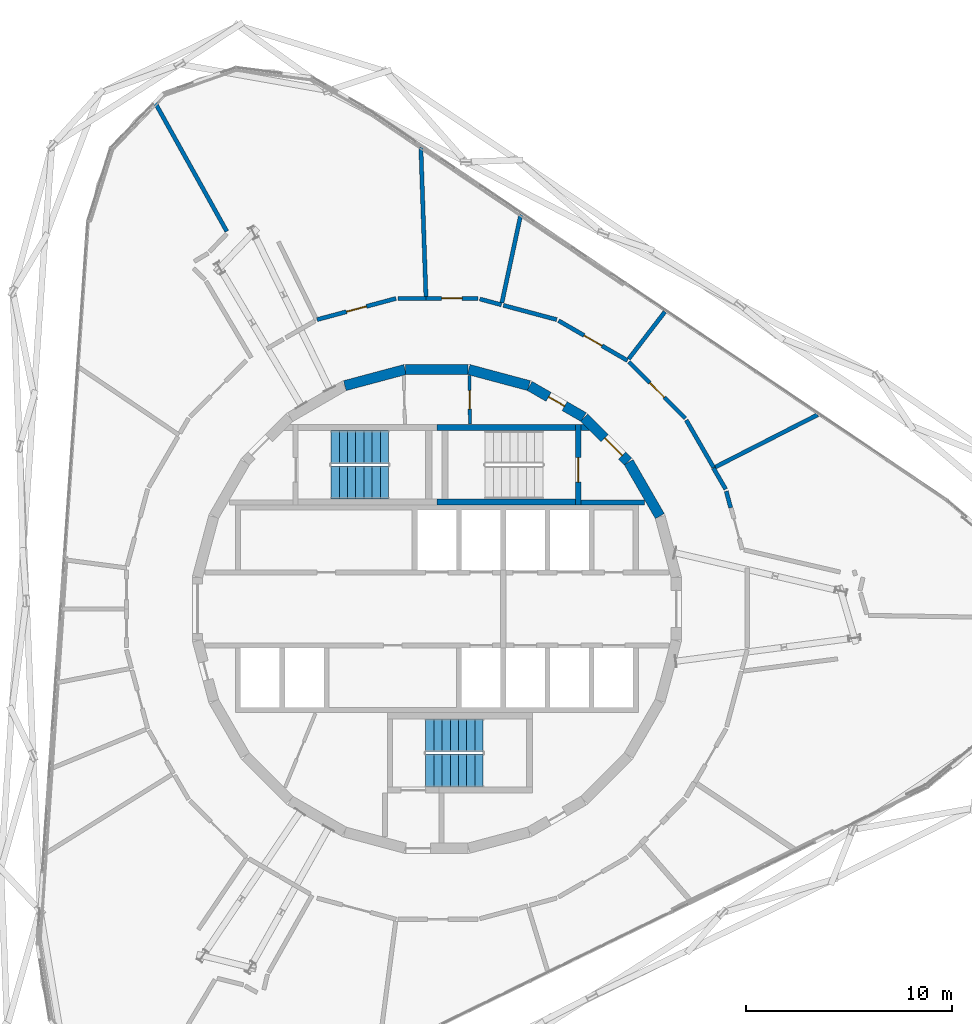
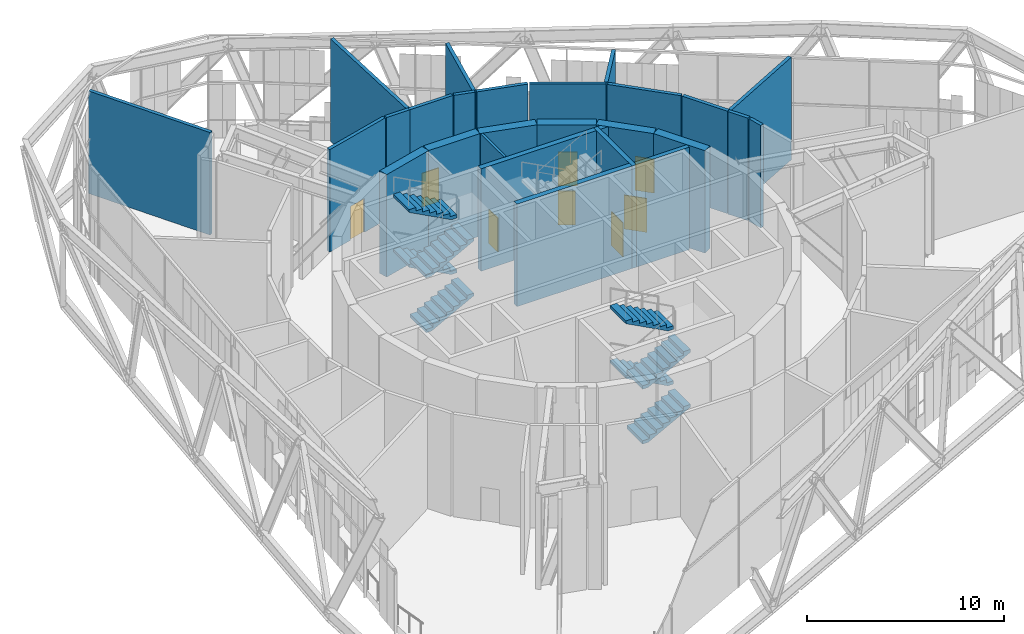
# One storey, part 21 of 24: 27 walls, 8 doors, 8 stair flights, 8 openings, 2 elements without a shape of their own.
"""IFC4 building model written with IfcOpenShell, lengths in metres."""

import ifcopenshell
import ifcopenshell.guid

model = None  # the IFC model being written
_history = None  # IfcOwnerHistory: only IFC2X3 demands one
_inside = {}  # id of a spatial element -> (the spatial element, [elements in it])
_under = {}  # id of a project, library or spatial element -> (it, [spatial elements below it])
_declared = {}  # id of a project -> (the project, [libraries it declares])
_typed = {}  # id of a type object -> (the type object, [elements of that type])
_made_of = {}  # id of a material, layer set ... -> (it, [elements and type objects made of it])


def new_model(schema):
    """Start an empty IFC model of exactly this schema.

    Asked for "IFC4X3", IfcOpenShell would pick the latest addendum, in which some entities
    have other attributes; the version numbers below select the first issue.
    IFC2X3 requires an IfcOwnerHistory on every rooted entity: one is made here for all.
    """
    global model, _history
    if schema == "IFC4X3":
        model = ifcopenshell.file(schema_version=(4, 3, 0, 0))
    else:
        model = ifcopenshell.file(schema=schema)
    _inside.clear()
    _under.clear()
    _declared.clear()
    _typed.clear()
    _made_of.clear()
    _history = None
    if model.schema == "IFC2X3":
        org = make("IfcOrganization", Name="unknown")
        user = make(
            "IfcPersonAndOrganization",
            ThePerson=make("IfcPerson", FamilyName="unknown"),
            TheOrganization=org,
        )
        app = make(
            "IfcApplication",
            ApplicationDeveloper=org,
            Version="unknown",
            ApplicationFullName="unknown",
            ApplicationIdentifier="unknown",
        )
        _history = make(
            "IfcOwnerHistory",
            OwningUser=user,
            OwningApplication=app,
            ChangeAction="ADDED",
            CreationDate=0,
        )
    return model


def make(cls, **values):
    """One entity of the class cls with the attributes given. An attribute that is None is left unset."""
    return model.create_entity(
        cls, **{name: value for name, value in values.items() if value is not None}
    )


def rooted(cls, **values):
    """An entity with a GlobalId (a new one), such as an element, a storey or a relation."""
    return make(cls, GlobalId=ifcopenshell.guid.new(), OwnerHistory=_history, **values)


def si_unit(unit_type, name, prefix=None):
    """IfcSIUnit, for example si_unit("LENGTHUNIT", "METRE", prefix="MILLI")."""
    return make("IfcSIUnit", UnitType=unit_type, Prefix=prefix, Name=name)


def assignment(units):
    """IfcUnitAssignment: the units of a project."""
    return None if units is None else make("IfcUnitAssignment", Units=units)


def point(xyz):
    """IfcCartesianPoint."""
    return None if xyz is None else make("IfcCartesianPoint", Coordinates=xyz)


def direction(xyz):
    """IfcDirection."""
    return None if xyz is None else make("IfcDirection", DirectionRatios=xyz)


def frame(location, z_axis=None, x_axis=None):
    """IfcAxis2Placement3D, a coordinate frame: its origin and axes. An axis left out is left unset."""
    return make(
        "IfcAxis2Placement3D",
        Location=point(location),
        Axis=direction(z_axis),
        RefDirection=direction(x_axis),
    )


def frame_2d(location, x_axis=None):
    """IfcAxis2Placement2D, a coordinate frame in the plane: its origin and x axis."""
    return make(
        "IfcAxis2Placement2D", Location=point(location), RefDirection=direction(x_axis)
    )


def origin():
    """The frame at (0, 0, 0) with its axes left unset."""
    return frame((0.0, 0.0, 0.0))


def place(relative_to, where):
    """IfcLocalPlacement: puts the frame where relative to a parent placement (None: the world)."""
    return make(
        "IfcLocalPlacement", PlacementRelTo=relative_to, RelativePlacement=where
    )


def context(
    kind, dimensions, precision=None, world=None, true_north=None, identifier=None
):
    """IfcGeometricRepresentationContext, for example the 3D "Model" context."""
    return make(
        "IfcGeometricRepresentationContext",
        ContextIdentifier=identifier,
        ContextType=kind,
        CoordinateSpaceDimension=dimensions,
        Precision=precision,
        WorldCoordinateSystem=world,
        TrueNorth=true_north,
    )


def subcontext(parent, identifier, kind, view, scale=None):
    """IfcGeometricRepresentationSubContext, for example "Body" below "Model"."""
    return make(
        "IfcGeometricRepresentationSubContext",
        ContextIdentifier=identifier,
        ContextType=kind,
        ParentContext=parent,
        TargetScale=scale,
        TargetView=view,
    )


def project(units=None, contexts=None):
    """IfcProject with its units and contexts."""
    return rooted(
        "IfcProject",
        Name="project",
        RepresentationContexts=contexts,
        UnitsInContext=assignment(units),
    )


def spatial(cls, under=None, at=None, **own):
    """A site, building, storey or space (cls), placed at a placement, below another one or the project."""
    s = rooted(cls, ObjectPlacement=at, **own)
    if under is not None:
        _under.setdefault(under.id(), (under, []))[1].append(s)
    return s


def polyline(points):
    """IfcPolyline through the points."""
    return make("IfcPolyline", Points=[point(p) for p in points])


def profile(cls, at=None, kind="AREA", **sizes):
    """A parametric profile (cls). Its sizes go by their IFC names, for example OverallWidth=200.0."""
    return make(cls, ProfileType=kind, Position=at, **sizes)


def rectangle(**sizes):
    """IfcRectangleProfileDef."""
    return profile("IfcRectangleProfileDef", **sizes)


def outline(outer, holes=None, kind="AREA"):
    """IfcArbitraryClosedProfileDef: a profile drawn as a closed curve; with holes, ...WithVoids."""
    if holes is None:
        return make("IfcArbitraryClosedProfileDef", ProfileType=kind, OuterCurve=outer)
    return make(
        "IfcArbitraryProfileDefWithVoids",
        ProfileType=kind,
        OuterCurve=outer,
        InnerCurves=holes,
    )


def extrude(swept, where, along, depth):
    """IfcExtrudedAreaSolid: the profile swept, set in the frame where, extruded along a direction by depth."""
    return make(
        "IfcExtrudedAreaSolid",
        SweptArea=swept,
        Position=where,
        ExtrudedDirection=direction(along),
        Depth=depth,
    )


def shape(context_of_items, identifier, shape_type, items):
    """IfcShapeRepresentation: the items that make up one representation, for example the "Body"."""
    return make(
        "IfcShapeRepresentation",
        ContextOfItems=context_of_items,
        RepresentationIdentifier=identifier,
        RepresentationType=shape_type,
        Items=items,
    )


def material(Name=None, Category=None):
    """IfcMaterial."""
    return make("IfcMaterial", Name=Name, Category=Category)


def layer(
    of_material, thickness, ventilated=None, Name=None, Category=None, Priority=None
):
    """IfcMaterialLayer: one layer of a wall or slab, of a material (None: an air gap)."""
    return make(
        "IfcMaterialLayer",
        Material=of_material,
        LayerThickness=thickness,
        IsVentilated=ventilated,
        Name=Name,
        Category=Category,
        Priority=Priority,
    )


def layer_set(layers, Name=None):
    """IfcMaterialLayerSet."""
    return make("IfcMaterialLayerSet", MaterialLayers=layers, LayerSetName=Name)


def made_of(thing, what):
    """Note that an element or type object is made of a material, layer set ...; save() writes the relation."""
    if what is not None:
        _made_of.setdefault(what.id(), (what, []))[1].append(thing)
    return thing


def type_object(cls, material=None, **own):
    """A type object (cls), such as IfcWallType, which elements share."""
    return made_of(rooted(cls, **own), material)


def element(
    cls,
    number,
    at=None,
    inside=None,
    cuts=None,
    type_object=None,
    material=None,
    context=None,
    identifier="Body",
    shape_type=None,
    held_by="IfcProductDefinitionShape",
    body=None,
    shapes=None,
    **own,
):
    """One element of the class cls, such as IfcWall. Its Tag is "e" and its number.

    at: its placement. inside: the storey or other place that contains it. cuts: it is an
    opening in that element (IfcRelVoidsElement). A single representation is given by context,
    identifier, shape_type and body (its items); several are given by shapes. held_by: the class
    of the entity that holds the representations. save() writes the other relations.
    """
    e = rooted(cls, Tag="e%d" % number, ObjectPlacement=at, **own)
    if body is not None:
        shapes = [shape(context, identifier, shape_type, body)]
    if shapes is not None:
        e.Representation = make(held_by, Representations=shapes)
    if inside is not None:
        _inside.setdefault(inside.id(), (inside, []))[1].append(e)
    if cuts is not None:
        rooted(
            "IfcRelVoidsElement", RelatingBuildingElement=cuts, RelatedOpeningElement=e
        )
    if type_object is not None:
        _typed.setdefault(type_object.id(), (type_object, []))[1].append(e)
    return made_of(e, material)


def fill(opening, filler):
    """IfcRelFillsElement: the door or window that sits in an opening."""
    return rooted(
        "IfcRelFillsElement",
        RelatingOpeningElement=opening,
        RelatedBuildingElement=filler,
    )


def aggregate(whole, parts):
    """IfcRelAggregates: a whole, such as a stair, and the parts it consists of."""
    return rooted("IfcRelAggregates", RelatingObject=whole, RelatedObjects=parts)


def save(model, path):
    """Write the relations noted so far, then the file.

    IfcRelAggregates (storeys below a building ...), IfcRelContainedInSpatialStructure (elements
    in a storey), IfcRelDefinesByType, IfcRelAssociatesMaterial and IfcRelDeclares: one each for
    every whole, place, type object, material and project.
    """
    for whole, parts in _under.values():
        aggregate(whole, parts)
    for where, things in _inside.values():
        rooted(
            "IfcRelContainedInSpatialStructure",
            RelatedElements=things,
            RelatingStructure=where,
        )
    for kind, things in _typed.values():
        rooted("IfcRelDefinesByType", RelatedObjects=things, RelatingType=kind)
    for what, things in _made_of.values():
        rooted("IfcRelAssociatesMaterial", RelatedObjects=things, RelatingMaterial=what)
    for by, libraries in _declared.values():
        rooted("IfcRelDeclares", RelatingContext=by, RelatedDefinitions=libraries)
    model.write(path)


model = new_model("IFC4")

# Units and contexts
model_context = context("Model", 3, precision=1e-05, world=origin(), true_north=direction((0.0, 1.0)))
body_context = subcontext(model_context, "Body", "Model", "MODEL_VIEW")
ifc_project = project(units=[si_unit("LENGTHUNIT", "METRE"), si_unit("AREAUNIT", "SQUARE_METRE"), si_unit("VOLUMEUNIT", "CUBIC_METRE"), si_unit("PLANEANGLEUNIT", "RADIAN"), si_unit("MASSUNIT", "GRAM", prefix="KILO")], contexts=[model_context])

# Site, building, storey
site_placement = place(None, origin())
site = spatial("IfcSite", under=ifc_project, at=site_placement, CompositionType="ELEMENT")
building_placement = place(site_placement, origin())
building = spatial("IfcBuilding", under=site, at=building_placement, Name="Spindle Arch Residences", CompositionType="ELEMENT")
storey_placement = place(building_placement, frame((0.0, 0.0, 219.89990234375)))
storey = spatial("IfcBuildingStorey", under=building, at=storey_placement, Name="L56", CompositionType="ELEMENT", Elevation=219.89990234375)

# Wall
ifc_material_1 = material(Name="Concrete C50/60", Category="concrete")
ifc_layer_1 = layer(ifc_material_1, 0.5)
ifc_layer_set_1 = layer_set([ifc_layer_1], Name="Core outline wall 500")
wall_type_1 = type_object("IfcWallType", Name="Core outline wall 500", PredefinedType="SHEAR", material=ifc_layer_set_1)
wall_1_placement = place(storey_placement, frame((10.84521484375, 4.510498046875, 0.0), z_axis=(0.0, 0.0, 1.0), x_axis=(-0.500087131594, 0.865975092491, 0.0)))
element("IfcWall", 1, at=wall_1_placement, inside=storey, type_object=wall_type_1, Name="Core outline wall 8", PredefinedType="SHEAR", context=body_context, shape_type="SweptSolid", body=[
    extrude(rectangle(XDim=3.03271484375, YDim=0.5, at=frame_2d((1.516357421875, 0.0))), origin(), (0.0, 0.0, 1.0), 6.35009765625),
])

# Wall, opening, door
wall_2_placement = place(storey_placement, frame((9.30810546875, 7.163818359375, 0.0), z_axis=(0.0, 0.0, 1.0), x_axis=(-0.707106781187, 0.707106781187, 0.0)))
wall_2 = element("IfcWall", 2, at=wall_2_placement, inside=storey, type_object=wall_type_1, Name="Core outline wall 9", PredefinedType="SHEAR", context=body_context, shape_type="SweptSolid", body=[
    extrude(rectangle(XDim=3.032470703125, YDim=0.5, at=frame_2d((1.51611328125, 0.0))), origin(), (0.0, 0.0, 1.0), 6.35009765625),
])
opening_1_placement = place(wall_2_placement, frame((0.416259765625, 0.0, 0.0)))
opening_1 = element("IfcOpeningElement", 3, at=opening_1_placement, cuts=wall_2, Name="Opening L56-AD01", PredefinedType="OPENING", context=body_context, shape_type="SweptSolid", body=[
    extrude(rectangle(XDim=1.199951171875, YDim=2.10009765625, at=frame_2d((0.60009765625, 1.050048828125))), frame((0.0, 0.260009765625, 0.0), z_axis=(0.0, -1.0, 0.0), x_axis=(1.0, 0.0, 0.0)), (0.0, 0.0, 1.0), 0.52001953125),
])
ifc_material_2 = material(Name="Steel, fire-resisting door", Category="steel")
door_type_1 = type_object("IfcDoorType", Name="Stair airlock door 1200x2100", OperationType="SINGLE_SWING_LEFT", PredefinedType="DOOR", material=ifc_material_2)
door_1_placement = place(opening_1_placement, origin())
door_1 = element("IfcDoor", 4, at=door_1_placement, inside=storey, type_object=door_type_1, Name="Stair airlock door L56-AD01", OperationType="SINGLE_SWING_RIGHT", OverallHeight=2.10009765625, OverallWidth=1.199951171875, PredefinedType="DOOR", context=body_context, shape_type="SweptSolid", body=[
    extrude(rectangle(XDim=1.199951171875, YDim=2.10009765625, at=frame_2d((0.60009765625, 1.050048828125))), frame((0.0, 0.02490234375, 0.0), z_axis=(0.0, -1.0, 0.0), x_axis=(1.0, 0.0, 0.0)), (0.0, 0.0, 1.0), 0.050048828125),
])
fill(opening_1, door_1)

wall_3_placement = place(storey_placement, frame((7.13671875, 9.32861328125, 0.0), z_axis=(0.0, 0.0, 1.0), x_axis=(-0.865975092491, 0.500087131594, 0.0)))
wall_3 = element("IfcWall", 5, at=wall_3_placement, inside=storey, type_object=wall_type_1, Name="Core outline wall 10", PredefinedType="SHEAR", context=body_context, shape_type="SweptSolid", body=[
    extrude(rectangle(XDim=3.03271484375, YDim=0.5, at=frame_2d((1.516357421875, 0.0))), origin(), (0.0, 0.0, 1.0), 6.35009765625),
])
opening_2_placement = place(wall_3_placement, frame((1.06640625, 0.0, 0.0)))
opening_2 = element("IfcOpeningElement", 6, at=opening_2_placement, cuts=wall_3, Name="Opening L56-WD09", PredefinedType="OPENING", context=body_context, shape_type="SweptSolid", body=[
    extrude(rectangle(XDim=0.89990234375, YDim=2.10009765625, at=frame_2d((0.449951171875, 1.050048828125))), frame((0.0, 0.260009765625, 0.0), z_axis=(0.0, -1.0, 0.0), x_axis=(1.0, 0.0, 0.0)), (0.0, 0.0, 1.0), 0.52001953125),
])
ifc_material_3 = material(Name="Steel, fire-resisting door", Category="steel")
door_type_2 = type_object("IfcDoorType", Name="Service room door 900x2100", OperationType="SINGLE_SWING_LEFT", PredefinedType="DOOR", material=ifc_material_3)
door_2_placement = place(opening_2_placement, origin())
door_2 = element("IfcDoor", 7, at=door_2_placement, inside=storey, type_object=door_type_2, Name="Service room door L56-WD09", OperationType="SINGLE_SWING_LEFT", OverallHeight=2.10009765625, OverallWidth=0.89990234375, PredefinedType="DOOR", context=body_context, shape_type="SweptSolid", body=[
    extrude(rectangle(XDim=0.89990234375, YDim=2.10009765625, at=frame_2d((0.449951171875, 1.050048828125))), frame((0.0, 0.02490234375, 0.0), z_axis=(0.0, -1.0, 0.0), x_axis=(1.0, 0.0, 0.0)), (0.0, 0.0, 1.0), 0.050048828125),
])
fill(opening_2, door_2)

# Walls
for number, where, z_axis, x_axis, name in (
    (8, (4.479248046875, 10.858154296875, 0.0), (0.0, 0.0, 1.0), (-0.965948410781, 0.258734743916, 0.0), "Core outline wall 11"),
    (9, (1.516357421875, 11.647216796875, 0.0), (0.0, 0.0, 1.0), (-1.0, 0.0, 0.0), "Core outline wall 12"),
    (10, (-1.5498046875, 11.642822265625, 0.0), (0.0, 0.0, 1.0), (-0.965948410781, -0.258734743916, 0.0), "Core outline wall 13"),
):
    element("IfcWall", number, at=place(storey_placement, frame(where, z_axis=z_axis, x_axis=x_axis)), inside=storey, type_object=wall_type_1, Name=name, PredefinedType="SHEAR", context=body_context, shape_type="SweptSolid", body=[
        extrude(rectangle(XDim=3.03271484375, YDim=0.5, at=frame_2d((1.516357421875, 0.0))), origin(), (0.0, 0.0, 1.0), 6.35009765625),
    ])
ifc_material_4 = material(Name="Gypsum board partition on steel studs", Category="steel")
ifc_layer_2 = layer(ifc_material_4, 0.199951171875)
ifc_layer_set_2 = layer_set([ifc_layer_2], Name="Partition EI 60 200 amenity")
wall_type_2 = type_object("IfcWallType", Name="Partition EI 60 200 amenity", PredefinedType="PARTITIONING", material=ifc_layer_set_2)
wall_4_placement = place(storey_placement, frame((-10.22265625, 18.36669921875, 0.0), z_axis=(0.0, 0.0, 1.0), x_axis=(-0.486941161482, 0.87343477447, 0.0)))
element("IfcWall", 11, at=wall_4_placement, inside=storey, type_object=wall_type_2, Name="L56-W023", PredefinedType="PARTITIONING", context=body_context, shape_type="SweptSolid", body=[
    extrude(rectangle(XDim=7.18212890625, YDim=0.199951171875, at=frame_2d((3.591064453125, 0.0))), origin(), (0.0, 0.0, 1.0), 6.35009765625),
])

# Wall, opening, door
wall_5_placement = place(storey_placement, frame((-1.989990234375, 15.10009765625, 0.0), z_axis=(0.0, 0.0, 1.0), x_axis=(-0.965857829358, -0.259072679895, 0.0)))
wall_5 = element("IfcWall", 12, at=wall_5_placement, inside=storey, type_object=wall_type_2, Name="L56-W037", PredefinedType="PARTITIONING", context=body_context, shape_type="SweptSolid", body=[
    extrude(rectangle(XDim=3.975830078125, YDim=0.199951171875, at=frame_2d((1.98779296875, 0.0))), origin(), (0.0, 0.0, 1.0), 6.35009765625),
])
opening_3_placement = place(wall_5_placement, frame((1.48779296875, 0.0, 0.0)))
opening_3 = element("IfcOpeningElement", 13, at=opening_3_placement, cuts=wall_5, Name="Opening L56-D17", PredefinedType="OPENING", context=body_context, shape_type="SweptSolid", body=[
    extrude(rectangle(XDim=1.0, YDim=2.10009765625, at=frame_2d((0.5, 1.050048828125))), frame((0.0, 0.10986328125, 0.0), z_axis=(0.0, -1.0, 0.0), x_axis=(1.0, 0.0, 0.0)), (0.0, 0.0, 1.0), 0.219970703125),
])
ifc_material_5 = material(Name="Timber door leaf", Category="wood")
door_type_3 = type_object("IfcDoorType", Name="Door 1000x2100 EI 30", OperationType="SINGLE_SWING_LEFT", PredefinedType="DOOR", material=ifc_material_5)
door_3_placement = place(opening_3_placement, origin())
door_3 = element("IfcDoor", 14, at=door_3_placement, inside=storey, type_object=door_type_3, Name="L56-D17", OperationType="SINGLE_SWING_LEFT", OverallHeight=2.10009765625, OverallWidth=1.0, PredefinedType="DOOR", context=body_context, shape_type="SweptSolid", body=[
    extrude(rectangle(XDim=1.0, YDim=2.10009765625, at=frame_2d((0.5, 1.050048828125))), frame((0.0, 0.02490234375, 0.0), z_axis=(0.0, -1.0, 0.0), x_axis=(1.0, 0.0, 0.0)), (0.0, 0.0, 1.0), 0.050048828125),
])
fill(opening_3, door_3)

# Walls
wall_6_placement = place(storey_placement, frame((-0.780029296875, 22.4599609375, 0.0), z_axis=(0.0, 0.0, 1.0), x_axis=(0.03394484799, -0.999423707591, 0.0)))
element("IfcWall", 15, at=wall_6_placement, inside=storey, type_object=wall_type_2, Name="L56-W038", PredefinedType="PARTITIONING", context=body_context, shape_type="SweptSolid", body=[
    extrude(rectangle(XDim=7.26416015625, YDim=0.199951171875, at=frame_2d((3.632080078125, 0.0))), origin(), (0.0, 0.0, 1.0), 6.35009765625),
])
wall_7_placement = place(storey_placement, frame((-0.530029296875, 15.10009765625, 0.0), z_axis=(0.0, 0.0, 1.0), x_axis=(-1.0, 0.0, 0.0)))
element("IfcWall", 16, at=wall_7_placement, inside=storey, type_object=wall_type_2, Name="L56-W039", PredefinedType="PARTITIONING", context=body_context, shape_type="SweptSolid", body=[
    extrude(rectangle(XDim=1.35986328125, YDim=0.199951171875, at=frame_2d((0.679931640625, 0.0))), origin(), (0.0, 0.0, 1.0), 6.35009765625),
])

# Wall, opening, door
wall_8_placement = place(storey_placement, frame((1.989990234375, 15.10009765625, 0.0), z_axis=(0.0, 0.0, 1.0), x_axis=(-1.0, 0.0, 0.0)))
wall_8 = element("IfcWall", 17, at=wall_8_placement, inside=storey, type_object=wall_type_2, Name="L56-W041", PredefinedType="PARTITIONING", context=body_context, shape_type="SweptSolid", body=[
    extrude(rectangle(XDim=2.52001953125, YDim=0.199951171875, at=frame_2d((1.260009765625, 0.0))), origin(), (0.0, 0.0, 1.0), 6.35009765625),
])
opening_4_placement = place(wall_8_placement, frame((0.760009765625, 0.0, 0.0)))
opening_4 = element("IfcOpeningElement", 18, at=opening_4_placement, cuts=wall_8, Name="Opening L56-D16", PredefinedType="OPENING", context=body_context, shape_type="SweptSolid", body=[
    extrude(rectangle(XDim=1.0, YDim=2.10009765625, at=frame_2d((0.5, 1.050048828125))), frame((0.0, 0.10986328125, 0.0), z_axis=(0.0, -1.0, 0.0), x_axis=(1.0, 0.0, 0.0)), (0.0, 0.0, 1.0), 0.219970703125),
])
door_4_placement = place(opening_4_placement, origin())
door_4 = element("IfcDoor", 19, at=door_4_placement, inside=storey, type_object=door_type_3, Name="L56-D16", OperationType="SINGLE_SWING_LEFT", OverallHeight=2.10009765625, OverallWidth=1.0, PredefinedType="DOOR", context=body_context, shape_type="SweptSolid", body=[
    extrude(rectangle(XDim=1.0, YDim=2.10009765625, at=frame_2d((0.5, 1.050048828125))), frame((0.0, 0.02490234375, 0.0), z_axis=(0.0, -1.0, 0.0), x_axis=(1.0, 0.0, 0.0)), (0.0, 0.0, 1.0), 0.050048828125),
])
fill(opening_4, door_4)

# Walls
wall_9_placement = place(storey_placement, frame((3.139892578125, 14.7900390625, 0.0), z_axis=(0.0, 0.0, 1.0), x_axis=(-0.965529267024, 0.260294514963, 0.0)))
element("IfcWall", 20, at=wall_9_placement, inside=storey, type_object=wall_type_2, Name="L56-W042", PredefinedType="PARTITIONING", context=body_context, shape_type="SweptSolid", body=[
    extrude(rectangle(XDim=1.0908203125, YDim=0.199951171875, at=frame_2d((0.54541015625, 0.0))), origin(), (0.0, 0.0, 1.0), 6.35009765625),
])
wall_10_placement = place(storey_placement, frame((3.160888671875, 14.8876953125, 0.0), z_axis=(0.0, 0.0, 1.0), x_axis=(0.209403741848, 0.977829265721, 0.0)))
element("IfcWall", 21, at=wall_10_placement, inside=storey, type_object=wall_type_2, Name="L56-W043", PredefinedType="PARTITIONING", context=body_context, shape_type="SweptSolid", body=[
    extrude(rectangle(XDim=4.3896484375, YDim=0.199951171875, at=frame_2d((2.19482421875, 0.0))), origin(), (0.0, 0.0, 1.0), 6.35009765625),
])
wall_11_placement = place(storey_placement, frame((5.830078125, 14.070068359375, 0.0), z_axis=(0.0, 0.0, 1.0), x_axis=(-0.966003629213, 0.25852850587, 0.0)))
element("IfcWall", 22, at=wall_11_placement, inside=storey, type_object=wall_type_2, Name="L56-W047", PredefinedType="PARTITIONING", context=body_context, shape_type="SweptSolid", body=[
    extrude(rectangle(XDim=2.684814453125, YDim=0.199951171875, at=frame_2d((1.34228515625, 0.0))), origin(), (0.0, 0.0, 1.0), 6.35009765625),
])

# Wall, opening, door
wall_12_placement = place(storey_placement, frame((9.27001953125, 12.080078125, 0.0), z_axis=(0.0, 0.0, 1.0), x_axis=(-0.865601686425, 0.500733182901, 0.0)))
wall_12 = element("IfcWall", 23, at=wall_12_placement, inside=storey, type_object=wall_type_2, Name="L56-W049", PredefinedType="PARTITIONING", context=body_context, shape_type="SweptSolid", body=[
    extrude(rectangle(XDim=3.874267578125, YDim=0.199951171875, at=frame_2d((1.93701171875, 0.0))), origin(), (0.0, 0.0, 1.0), 6.35009765625),
])
opening_5_placement = place(wall_12_placement, frame((1.43701171875, 0.0, 0.0)))
opening_5 = element("IfcOpeningElement", 24, at=opening_5_placement, cuts=wall_12, Name="Opening L56-D14", PredefinedType="OPENING", context=body_context, shape_type="SweptSolid", body=[
    extrude(rectangle(XDim=1.0, YDim=2.10009765625, at=frame_2d((0.5, 1.050048828125))), frame((0.0, 0.10986328125, 0.0), z_axis=(0.0, -1.0, 0.0), x_axis=(1.0, 0.0, 0.0)), (0.0, 0.0, 1.0), 0.219970703125),
])
door_5_placement = place(opening_5_placement, origin())
door_5 = element("IfcDoor", 25, at=door_5_placement, inside=storey, type_object=door_type_3, Name="L56-D14", OperationType="SINGLE_SWING_LEFT", OverallHeight=2.10009765625, OverallWidth=1.0, PredefinedType="DOOR", context=body_context, shape_type="SweptSolid", body=[
    extrude(rectangle(XDim=1.0, YDim=2.10009765625, at=frame_2d((0.5, 1.050048828125))), frame((0.0, 0.02490234375, 0.0), z_axis=(0.0, -1.0, 0.0), x_axis=(1.0, 0.0, 0.0)), (0.0, 0.0, 1.0), 0.050048828125),
])
fill(opening_5, door_5)

# Wall
wall_13_placement = place(storey_placement, frame((9.330810546875, 12.159423828125, 0.0), z_axis=(0.0, 0.0, 1.0), x_axis=(0.609130507388, 0.793070000044, 0.0)))
element("IfcWall", 26, at=wall_13_placement, inside=storey, type_object=wall_type_2, Name="L56-W050", PredefinedType="PARTITIONING", context=body_context, shape_type="SweptSolid", body=[
    extrude(rectangle(XDim=2.88818359375, YDim=0.199951171875, at=frame_2d((1.444091796875, 0.0))), origin(), (0.0, 0.0, 1.0), 6.35009765625),
])

# Wall, opening, door
wall_14_placement = place(storey_placement, frame((12.080078125, 9.27001953125, 0.0), z_axis=(0.0, 0.0, 1.0), x_axis=(-0.707106781187, 0.707106781187, 0.0)))
wall_14 = element("IfcWall", 27, at=wall_14_placement, inside=storey, type_object=wall_type_2, Name="L56-W055", PredefinedType="PARTITIONING", context=body_context, shape_type="SweptSolid", body=[
    extrude(rectangle(XDim=3.873779296875, YDim=0.199951171875, at=frame_2d((1.93701171875, 0.0))), origin(), (0.0, 0.0, 1.0), 6.35009765625),
])
opening_6_placement = place(wall_14_placement, frame((1.43701171875, 0.0, 0.0)))
opening_6 = element("IfcOpeningElement", 28, at=opening_6_placement, cuts=wall_14, Name="Opening L56-D13", PredefinedType="OPENING", context=body_context, shape_type="SweptSolid", body=[
    extrude(rectangle(XDim=1.0, YDim=2.10009765625, at=frame_2d((0.5, 1.050048828125))), frame((0.0, 0.10986328125, 0.0), z_axis=(0.0, -1.0, 0.0), x_axis=(1.0, 0.0, 0.0)), (0.0, 0.0, 1.0), 0.219970703125),
])
door_6_placement = place(opening_6_placement, origin())
door_6 = element("IfcDoor", 29, at=door_6_placement, inside=storey, type_object=door_type_3, Name="L56-D13", OperationType="SINGLE_SWING_LEFT", OverallHeight=2.10009765625, OverallWidth=1.0, PredefinedType="DOOR", context=body_context, shape_type="SweptSolid", body=[
    extrude(rectangle(XDim=1.0, YDim=2.10009765625, at=frame_2d((0.5, 1.050048828125))), frame((0.0, 0.02490234375, 0.0), z_axis=(0.0, -1.0, 0.0), x_axis=(1.0, 0.0, 0.0)), (0.0, 0.0, 1.0), 0.050048828125),
])
fill(opening_6, door_6)

# Walls
wall_15_placement = place(storey_placement, frame((13.45849609375, 6.8798828125, 0.0), z_axis=(0.0, 0.0, 1.0), x_axis=(-0.499635021678, 0.866236021597, 0.0)))
element("IfcWall", 30, at=wall_15_placement, inside=storey, type_object=wall_type_2, Name="L56-W058", PredefinedType="PARTITIONING", context=body_context, shape_type="SweptSolid", body=[
    extrude(rectangle(XDim=2.6591796875, YDim=0.199951171875, at=frame_2d((1.32958984375, 0.0))), origin(), (0.0, 0.0, 1.0), 6.35009765625),
])
wall_16_placement = place(storey_placement, frame((14.050048828125, 5.820068359375, 0.0), z_axis=(0.0, 0.0, 1.0), x_axis=(-0.503399803142, 0.864053608404, 0.0)))
element("IfcWall", 31, at=wall_16_placement, inside=storey, type_object=wall_type_2, Name="L56-W059", PredefinedType="PARTITIONING", context=body_context, shape_type="SweptSolid", body=[
    extrude(rectangle(XDim=1.192138671875, YDim=0.199951171875, at=frame_2d((0.59619140625, 0.0))), origin(), (0.0, 0.0, 1.0), 6.35009765625),
])
wall_17_placement = place(storey_placement, frame((14.2900390625, 4.919921875, 0.0), z_axis=(0.0, 0.0, 1.0), x_axis=(-0.257772288435, 0.966205696172, 0.0)))
element("IfcWall", 32, at=wall_17_placement, inside=storey, type_object=wall_type_2, Name="L56-W061", PredefinedType="PARTITIONING", context=body_context, shape_type="SweptSolid", body=[
    extrude(rectangle(XDim=0.83154296875, YDim=0.199951171875, at=frame_2d((0.415771484375, 0.0))), origin(), (0.0, 0.0, 1.0), 6.35009765625),
])
wall_18_placement = place(storey_placement, frame((18.52001953125, 9.43994140625, 0.0), z_axis=(0.0, 0.0, 1.0), x_axis=(-0.89052771224, -0.454928998561, 0.0)))
element("IfcWall", 33, at=wall_18_placement, inside=storey, type_object=wall_type_2, Name="L56-W066", PredefinedType="PARTITIONING", context=body_context, shape_type="SweptSolid", body=[
    extrude(rectangle(XDim=5.6708984375, YDim=0.199951171875, at=frame_2d((2.83544921875, 0.0))), origin(), (0.0, 0.0, 1.0), 6.35009765625),
])

# Wall, opening, door
ifc_material_6 = material(Name="Concrete C25/30", Category="concrete")
ifc_layer_3 = layer(ifc_material_6, 0.14990234375)
ifc_layer_set_3 = layer_set([ifc_layer_3], Name="Service room partition 150")
wall_type_3 = type_object("IfcWallType", Name="Service room partition 150", PredefinedType="PARTITIONING", material=ifc_layer_set_3)
wall_19_placement = place(storey_placement, frame((1.585693359375, 11.3544921875, 0.0), z_axis=(0.0, 0.0, 1.0), x_axis=(0.007227482881, -0.999973881405, 0.0)))
wall_19 = element("IfcWall", 34, at=wall_19_placement, inside=storey, type_object=wall_type_3, Name="Core service room partition", PredefinedType="PARTITIONING", context=body_context, shape_type="SweptSolid", body=[
    extrude(rectangle(XDim=2.364501953125, YDim=0.14990234375, at=frame_2d((1.18212890625, 0.0))), origin(), (0.0, 0.0, 1.0), 6.35009765625),
])
opening_7_placement = place(wall_19_placement, frame((0.732177734375, 0.0, 0.0)))
opening_7 = element("IfcOpeningElement", 35, at=opening_7_placement, cuts=wall_19, Name="Opening L56-WD05", PredefinedType="OPENING", context=body_context, shape_type="SweptSolid", body=[
    extrude(rectangle(XDim=0.89990234375, YDim=2.10009765625, at=frame_2d((0.449951171875, 1.050048828125))), frame((0.0, 0.0849609375, 0.0), z_axis=(0.0, -1.0, 0.0), x_axis=(1.0, 0.0, 0.0)), (0.0, 0.0, 1.0), 0.169921875),
])
door_7_placement = place(opening_7_placement, origin())
door_7 = element("IfcDoor", 36, at=door_7_placement, inside=storey, type_object=door_type_2, Name="Service room door L56-WD05", OperationType="SINGLE_SWING_LEFT", OverallHeight=2.10009765625, OverallWidth=0.89990234375, PredefinedType="DOOR", context=body_context, shape_type="SweptSolid", body=[
    extrude(rectangle(XDim=0.89990234375, YDim=2.10009765625, at=frame_2d((0.449951171875, 1.050048828125))), frame((0.0, 0.02490234375, 0.0), z_axis=(0.0, -1.0, 0.0), x_axis=(1.0, 0.0, 0.0)), (0.0, 0.0, 1.0), 0.050048828125),
])
fill(opening_7, door_7)

# Walls
ifc_material_7 = material(Name="Concrete C40/50", Category="concrete")
ifc_layer_4 = layer(ifc_material_7, 0.25)
ifc_layer_set_4 = layer_set([ifc_layer_4], Name="Stair airlock wall 250")
wall_type_4 = type_object("IfcWallType", Name="Stair airlock wall 250", PredefinedType="SHEAR", material=ifc_layer_set_4)
wall_20_placement = place(storey_placement, frame((7.0, 5.175048828125, 0.0), z_axis=(0.0, 0.0, 1.0), x_axis=(1.0, 0.0, 0.0)))
element("IfcWall", 37, at=wall_20_placement, inside=storey, type_object=wall_type_4, Name="Stair ST-1 airlock wall S", PredefinedType="SHEAR", context=body_context, shape_type="SweptSolid", body=[
    extrude(rectangle(XDim=3.10009765625, YDim=0.25, at=frame_2d((1.550048828125, 0.0))), origin(), (0.0, 0.0, 1.0), 6.35009765625),
])
ifc_material_8 = material(Name="Concrete C40/50", Category="concrete")
wall_type_5 = type_object("IfcWallType", Name="Stair airlock wall profile", PredefinedType="SHEAR", material=ifc_material_8)
wall_21_placement = place(storey_placement, origin())
element("IfcWall", 38, at=wall_21_placement, inside=storey, type_object=wall_type_5, Name="Stair ST-1 airlock wall N", PredefinedType="SHEAR", context=body_context, shape_type="SweptSolid", body=[
    extrude(outline(polyline([(7.4482421875, 8.669921875), (7.0, 8.669921875), (7.0, 8.969970703125), (7.148193359375, 8.969970703125), (7.4482421875, 8.669921875)])), origin(), (0.0, 0.0, 1.0), 6.35009765625),
])

# Wall, opening, door
ifc_material_9 = material(Name="Concrete C50/60", Category="concrete")
ifc_layer_5 = layer(ifc_material_9, 0.25)
ifc_layer_set_5 = layer_set([ifc_layer_5], Name="Stair enclosure wall 250")
wall_type_6 = type_object("IfcWallType", Name="Stair enclosure wall 250", PredefinedType="SHEAR", material=ifc_layer_set_5)
wall_22_placement = place(storey_placement, frame((6.875, 5.050048828125, 0.0), z_axis=(0.0, 0.0, 1.0), x_axis=(0.0, 1.0, 0.0)))
wall_22 = element("IfcWall", 39, at=wall_22_placement, inside=storey, type_object=wall_type_6, Name="Stair ST-1 door wall", PredefinedType="SHEAR", context=body_context, shape_type="SweptSolid", body=[
    extrude(rectangle(XDim=3.919921875, YDim=0.25, at=frame_2d((1.9599609375, 0.0))), origin(), (0.0, 0.0, 1.0), 6.35009765625),
])
opening_8_placement = place(wall_22_placement, frame((1.110107421875, 0.0, 0.0)))
opening_8 = element("IfcOpeningElement", 40, at=opening_8_placement, cuts=wall_22, Name="Opening L56-SD01", PredefinedType="OPENING", context=body_context, shape_type="SweptSolid", body=[
    extrude(rectangle(XDim=1.199951171875, YDim=2.10009765625, at=frame_2d((0.60009765625, 1.050048828125))), frame((0.0, 0.135009765625, 0.0), z_axis=(0.0, -1.0, 0.0), x_axis=(1.0, 0.0, 0.0)), (0.0, 0.0, 1.0), 0.27001953125),
])
ifc_material_10 = material(Name="Steel, fire-resisting door", Category="steel")
door_type_4 = type_object("IfcDoorType", Name="Stair door 1200x2100", OperationType="SINGLE_SWING_RIGHT", PredefinedType="DOOR", material=ifc_material_10)
door_8_placement = place(opening_8_placement, origin())
door_8 = element("IfcDoor", 41, at=door_8_placement, inside=storey, type_object=door_type_4, Name="Stair door L56-SD01", OperationType="SINGLE_SWING_LEFT", OverallHeight=2.10009765625, OverallWidth=1.199951171875, PredefinedType="DOOR", context=body_context, shape_type="SweptSolid", body=[
    extrude(rectangle(XDim=1.199951171875, YDim=2.10009765625, at=frame_2d((0.60009765625, 1.050048828125))), frame((0.0, 0.02490234375, 0.0), z_axis=(0.0, -1.0, 0.0), x_axis=(1.0, 0.0, 0.0)), (0.0, 0.0, 1.0), 0.050048828125),
])
fill(opening_8, door_8)

# Walls
ifc_material_11 = material(Name="Concrete C50/60", Category="concrete")
ifc_layer_6 = layer(ifc_material_11, 0.300048828125)
ifc_layer_set_6 = layer_set([ifc_layer_6], Name="Stair enclosure wall 300")
wall_type_7 = type_object("IfcWallType", Name="Stair enclosure wall 300", PredefinedType="SHEAR", material=ifc_layer_set_6)
for number, where, z_axis, x_axis, name in (
    (42, (0.0, 5.199951171875, 0.0), (0.0, 0.0, 1.0), (1.0, 0.0, 0.0), "Stair ST-1 enclosure wall S"),
    (43, (0.0, 8.820068359375, 0.0), (0.0, 0.0, 1.0), (1.0, 0.0, 0.0), "Stair ST-1 enclosure wall N"),
):
    element("IfcWall", number, at=place(storey_placement, frame(where, z_axis=z_axis, x_axis=x_axis)), inside=storey, type_object=wall_type_7, Name=name, PredefinedType="SHEAR", context=body_context, shape_type="SweptSolid", body=[
        extrude(rectangle(XDim=6.75, YDim=0.300048828125, at=frame_2d((3.375, 0.0))), origin(), (0.0, 0.0, 1.0), 6.35009765625),
    ])

# Stair, stair flights
ifc_material_12 = material(Name="Concrete C50/60", Category="concrete")
stair_type = type_object("IfcStairType", Name="Exit stair 32 risers", PredefinedType="HALF_TURN_STAIR", material=ifc_material_12)
stair_1_placement = place(storey_placement, origin())
stair_1 = element("IfcStair", 44, at=stair_1_placement, inside=storey, type_object=stair_type, Name="L56 Exit stair ST2", PredefinedType="HALF_TURN_STAIR")
ifc_material_13 = material(Name="Concrete C50/60", Category="concrete")
stair_flight_type = type_object("IfcStairFlightType", Name="Exit stair flight", PredefinedType="STRAIGHT", material=ifc_material_13)
stair_flight_1_placement = place(storey_placement, frame((-5.14990234375, 6.14990234375, 0.0), z_axis=(0.0, 0.0, 1.0), x_axis=(1.0, 0.0, 0.0)))
stair_flight_1 = element("IfcStairFlight", 45, at=stair_flight_1_placement, type_object=stair_flight_type, Name="ST2 flight 1", NumberOfRisers=8, NumberOfTreads=7, PredefinedType="STRAIGHT", RiserHeight=0.2125, TreadLength=0.4, context=body_context, shape_type="SweptSolid", body=[
    extrude(outline(polyline([(0.0, 0.0), (0.0, 0.21240234375), (0.39990234375, 0.21240234375), (0.39990234375, 0.425048828125), (0.800048828125, 0.425048828125), (0.800048828125, 0.637451171875), (1.199951171875, 0.637451171875), (1.199951171875, 0.85009765625), (1.60009765625, 0.85009765625), (1.60009765625, 1.0625), (2.0, 1.0625), (2.0, 1.27490234375), (2.39990234375, 1.27490234375), (2.39990234375, 1.487548828125), (2.800048828125, 1.487548828125), (2.800048828125, 1.699951171875), (2.800048828125, 1.31787109375), (0.319580078125, 0.0), (0.0, 0.0)])), frame((0.0, 0.800048828125, 0.0), z_axis=(0.0, -1.0, 0.0), x_axis=(1.0, 0.0, 0.0)), (0.0, 0.0, 1.0), 1.60009765625),
])
stair_flight_2_placement = place(storey_placement, frame((-2.35009765625, 7.8701171875, 1.7001953125), z_axis=(0.0, 0.0, 1.0), x_axis=(-1.0, 0.0, 0.0)))
stair_flight_2 = element("IfcStairFlight", 46, at=stair_flight_2_placement, type_object=stair_flight_type, Name="ST2 flight 2", NumberOfRisers=8, NumberOfTreads=7, PredefinedType="STRAIGHT", RiserHeight=0.2125, TreadLength=0.4, context=body_context, shape_type="SweptSolid", body=[
    extrude(outline(polyline([(0.0, 0.0), (0.0, 0.21240234375), (0.39990234375, 0.21240234375), (0.39990234375, 0.425048828125), (0.800048828125, 0.425048828125), (0.800048828125, 0.637451171875), (1.199951171875, 0.637451171875), (1.199951171875, 0.85009765625), (1.60009765625, 0.85009765625), (1.60009765625, 1.0625), (2.0, 1.0625), (2.0, 1.27490234375), (2.39990234375, 1.27490234375), (2.39990234375, 1.487548828125), (2.800048828125, 1.487548828125), (2.800048828125, 1.699951171875), (2.800048828125, 1.31787109375), (0.319580078125, 0.0), (0.0, 0.0)])), frame((0.0, 0.800048828125, 0.0), z_axis=(0.0, -1.0, 0.0), x_axis=(1.0, 0.0, 0.0)), (0.0, 0.0, 1.0), 1.60009765625),
])
stair_flight_3_placement = place(storey_placement, frame((-5.14990234375, 6.14990234375, 3.400146484375), z_axis=(0.0, 0.0, 1.0), x_axis=(1.0, 0.0, 0.0)))
stair_flight_3 = element("IfcStairFlight", 47, at=stair_flight_3_placement, type_object=stair_flight_type, Name="ST2 flight 3", NumberOfRisers=8, NumberOfTreads=7, PredefinedType="STRAIGHT", RiserHeight=0.2125, TreadLength=0.4, context=body_context, shape_type="SweptSolid", body=[
    extrude(outline(polyline([(0.0, 0.0), (0.0, 0.21240234375), (0.39990234375, 0.21240234375), (0.39990234375, 0.425048828125), (0.800048828125, 0.425048828125), (0.800048828125, 0.637451171875), (1.199951171875, 0.637451171875), (1.199951171875, 0.85009765625), (1.60009765625, 0.85009765625), (1.60009765625, 1.0625), (2.0, 1.0625), (2.0, 1.27490234375), (2.39990234375, 1.27490234375), (2.39990234375, 1.487548828125), (2.800048828125, 1.487548828125), (2.800048828125, 1.699951171875), (2.800048828125, 1.31787109375), (0.319580078125, 0.0), (0.0, 0.0)])), frame((0.0, 0.800048828125, 0.0), z_axis=(0.0, -1.0, 0.0), x_axis=(1.0, 0.0, 0.0)), (0.0, 0.0, 1.0), 1.60009765625),
])
stair_flight_4_placement = place(storey_placement, frame((-2.35009765625, 7.8701171875, 5.10009765625), z_axis=(0.0, 0.0, 1.0), x_axis=(-1.0, 0.0, 0.0)))
stair_flight_4 = element("IfcStairFlight", 48, at=stair_flight_4_placement, type_object=stair_flight_type, Name="ST2 flight 4", NumberOfRisers=8, NumberOfTreads=7, PredefinedType="STRAIGHT", RiserHeight=0.2125, TreadLength=0.4, context=body_context, shape_type="SweptSolid", body=[
    extrude(outline(polyline([(0.0, 0.0), (0.0, 0.21240234375), (0.39990234375, 0.21240234375), (0.39990234375, 0.425048828125), (0.800048828125, 0.425048828125), (0.800048828125, 0.637451171875), (1.199951171875, 0.637451171875), (1.199951171875, 0.85009765625), (1.60009765625, 0.85009765625), (1.60009765625, 1.0625), (2.0, 1.0625), (2.0, 1.27490234375), (2.39990234375, 1.27490234375), (2.39990234375, 1.487548828125), (2.800048828125, 1.487548828125), (2.800048828125, 1.699951171875), (2.800048828125, 1.31787109375), (0.319580078125, 0.0), (0.0, 0.0)])), frame((0.0, 0.800048828125, 0.0), z_axis=(0.0, -1.0, 0.0), x_axis=(1.0, 0.0, 0.0)), (0.0, 0.0, 1.0), 1.60009765625),
])
aggregate(stair_1, [stair_flight_1, stair_flight_2, stair_flight_3, stair_flight_4])

stair_2_placement = place(storey_placement, origin())
stair_2 = element("IfcStair", 49, at=stair_2_placement, inside=storey, type_object=stair_type, Name="L56 Exit stair ST3", PredefinedType="HALF_TURN_STAIR")
stair_flight_5_placement = place(storey_placement, frame((-0.550048828125, -7.8701171875, 0.0), z_axis=(0.0, 0.0, 1.0), x_axis=(1.0, 0.0, 0.0)))
stair_flight_5 = element("IfcStairFlight", 50, at=stair_flight_5_placement, type_object=stair_flight_type, Name="ST3 flight 1", NumberOfRisers=8, NumberOfTreads=7, PredefinedType="STRAIGHT", RiserHeight=0.2125, TreadLength=0.4, context=body_context, shape_type="SweptSolid", body=[
    extrude(outline(polyline([(0.0, 0.0), (0.0, 0.21240234375), (0.39990234375, 0.21240234375), (0.39990234375, 0.425048828125), (0.800048828125, 0.425048828125), (0.800048828125, 0.637451171875), (1.199951171875, 0.637451171875), (1.199951171875, 0.85009765625), (1.60009765625, 0.85009765625), (1.60009765625, 1.0625), (2.0, 1.0625), (2.0, 1.27490234375), (2.39990234375, 1.27490234375), (2.39990234375, 1.487548828125), (2.800048828125, 1.487548828125), (2.800048828125, 1.699951171875), (2.800048828125, 1.31787109375), (0.319580078125, 0.0), (0.0, 0.0)])), frame((0.0, 0.800048828125, 0.0), z_axis=(0.0, -1.0, 0.0), x_axis=(1.0, 0.0, 0.0)), (0.0, 0.0, 1.0), 1.60009765625),
])
stair_flight_6_placement = place(storey_placement, frame((2.25, -6.14990234375, 1.7001953125), z_axis=(0.0, 0.0, 1.0), x_axis=(-1.0, 0.0, 0.0)))
stair_flight_6 = element("IfcStairFlight", 51, at=stair_flight_6_placement, type_object=stair_flight_type, Name="ST3 flight 2", NumberOfRisers=8, NumberOfTreads=7, PredefinedType="STRAIGHT", RiserHeight=0.2125, TreadLength=0.4, context=body_context, shape_type="SweptSolid", body=[
    extrude(outline(polyline([(0.0, 0.0), (0.0, 0.21240234375), (0.39990234375, 0.21240234375), (0.39990234375, 0.425048828125), (0.800048828125, 0.425048828125), (0.800048828125, 0.637451171875), (1.199951171875, 0.637451171875), (1.199951171875, 0.85009765625), (1.60009765625, 0.85009765625), (1.60009765625, 1.0625), (2.0, 1.0625), (2.0, 1.27490234375), (2.39990234375, 1.27490234375), (2.39990234375, 1.487548828125), (2.800048828125, 1.487548828125), (2.800048828125, 1.699951171875), (2.800048828125, 1.31787109375), (0.319580078125, 0.0), (0.0, 0.0)])), frame((0.0, 0.800048828125, 0.0), z_axis=(0.0, -1.0, 0.0), x_axis=(1.0, 0.0, 0.0)), (0.0, 0.0, 1.0), 1.60009765625),
])
stair_flight_7_placement = place(storey_placement, frame((-0.550048828125, -7.8701171875, 3.400146484375), z_axis=(0.0, 0.0, 1.0), x_axis=(1.0, 0.0, 0.0)))
stair_flight_7 = element("IfcStairFlight", 52, at=stair_flight_7_placement, type_object=stair_flight_type, Name="ST3 flight 3", NumberOfRisers=8, NumberOfTreads=7, PredefinedType="STRAIGHT", RiserHeight=0.2125, TreadLength=0.4, context=body_context, shape_type="SweptSolid", body=[
    extrude(outline(polyline([(0.0, 0.0), (0.0, 0.21240234375), (0.39990234375, 0.21240234375), (0.39990234375, 0.425048828125), (0.800048828125, 0.425048828125), (0.800048828125, 0.637451171875), (1.199951171875, 0.637451171875), (1.199951171875, 0.85009765625), (1.60009765625, 0.85009765625), (1.60009765625, 1.0625), (2.0, 1.0625), (2.0, 1.27490234375), (2.39990234375, 1.27490234375), (2.39990234375, 1.487548828125), (2.800048828125, 1.487548828125), (2.800048828125, 1.699951171875), (2.800048828125, 1.31787109375), (0.319580078125, 0.0), (0.0, 0.0)])), frame((0.0, 0.800048828125, 0.0), z_axis=(0.0, -1.0, 0.0), x_axis=(1.0, 0.0, 0.0)), (0.0, 0.0, 1.0), 1.60009765625),
])
stair_flight_8_placement = place(storey_placement, frame((2.25, -6.14990234375, 5.10009765625), z_axis=(0.0, 0.0, 1.0), x_axis=(-1.0, 0.0, 0.0)))
stair_flight_8 = element("IfcStairFlight", 53, at=stair_flight_8_placement, type_object=stair_flight_type, Name="ST3 flight 4", NumberOfRisers=8, NumberOfTreads=7, PredefinedType="STRAIGHT", RiserHeight=0.2125, TreadLength=0.4, context=body_context, shape_type="SweptSolid", body=[
    extrude(outline(polyline([(0.0, 0.0), (0.0, 0.21240234375), (0.39990234375, 0.21240234375), (0.39990234375, 0.425048828125), (0.800048828125, 0.425048828125), (0.800048828125, 0.637451171875), (1.199951171875, 0.637451171875), (1.199951171875, 0.85009765625), (1.60009765625, 0.85009765625), (1.60009765625, 1.0625), (2.0, 1.0625), (2.0, 1.27490234375), (2.39990234375, 1.27490234375), (2.39990234375, 1.487548828125), (2.800048828125, 1.487548828125), (2.800048828125, 1.699951171875), (2.800048828125, 1.31787109375), (0.319580078125, 0.0), (0.0, 0.0)])), frame((0.0, 0.800048828125, 0.0), z_axis=(0.0, -1.0, 0.0), x_axis=(1.0, 0.0, 0.0)), (0.0, 0.0, 1.0), 1.60009765625),
])
aggregate(stair_2, [stair_flight_5, stair_flight_6, stair_flight_7, stair_flight_8])

save(model, "model.ifc")
